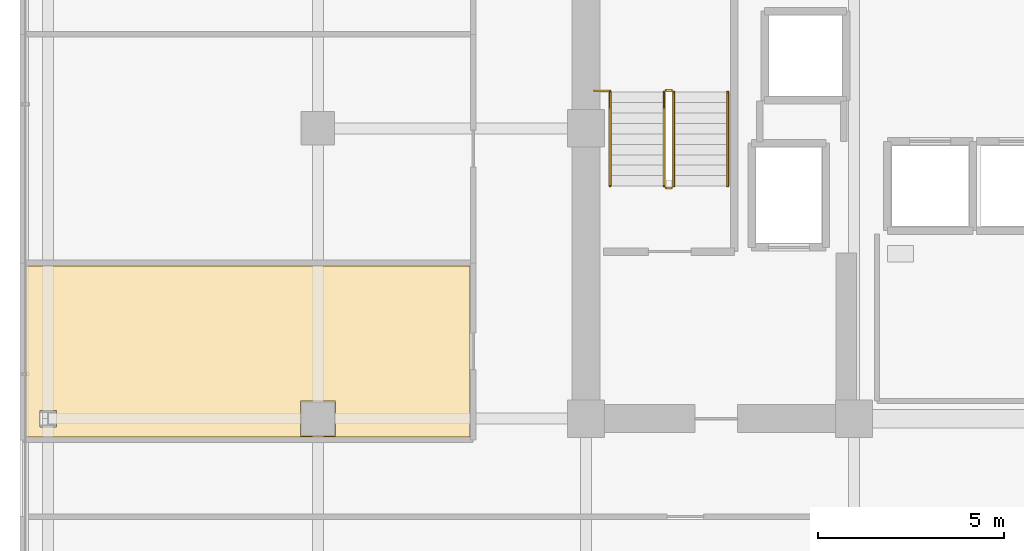
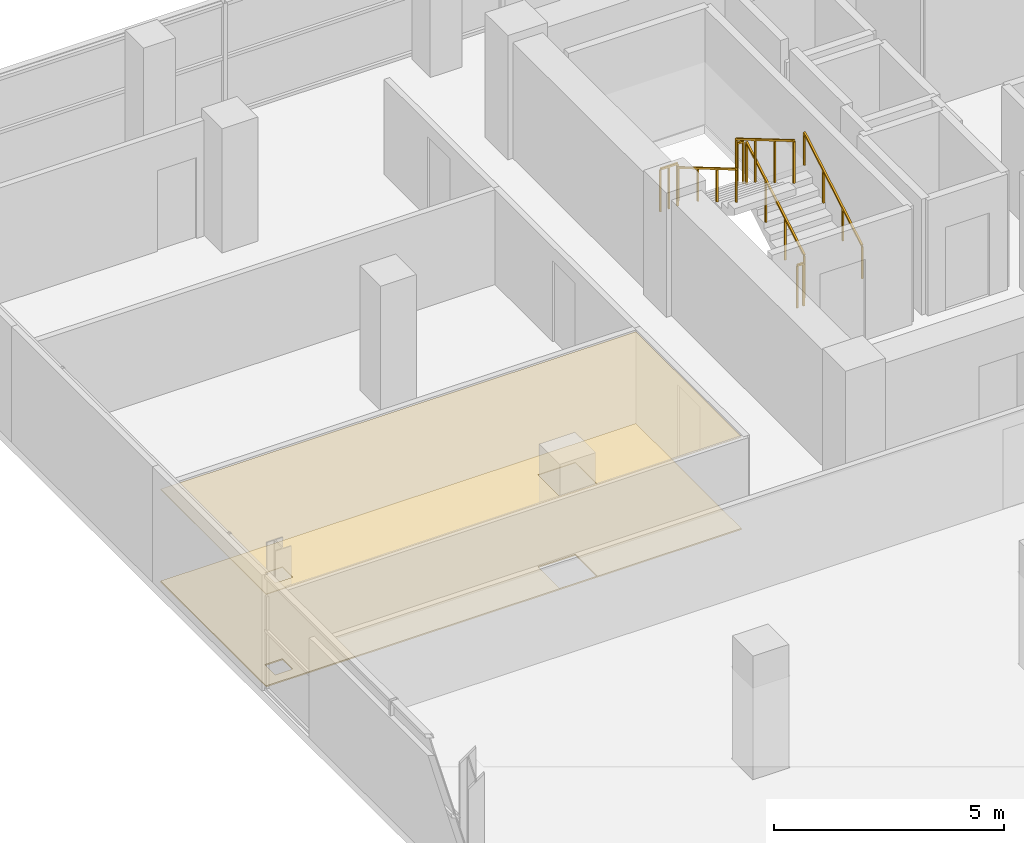
# One storey, part 24 of 27: 7 railings, 2 coverings.
"""IFC4 building model written with IfcOpenShell, lengths in metres."""

from ifc_helpers import new_model, si_unit, direction, frame, origin, origin_2d, place, context, subcontext, project, spatial, polyline, rectangle, outline, extrude, material, layer, layer_set, type_object, element, save


model = new_model("IFC4")

# Units and contexts
model_context = context("Model", 3, precision=1e-05, world=origin(), true_north=direction((0.0, 1.0)))
body_context = subcontext(model_context, "Body", "Model", "MODEL_VIEW")
ifc_project = project(units=[si_unit("LENGTHUNIT", "METRE"), si_unit("AREAUNIT", "SQUARE_METRE"), si_unit("VOLUMEUNIT", "CUBIC_METRE"), si_unit("PLANEANGLEUNIT", "RADIAN"), si_unit("MASSUNIT", "GRAM", prefix="KILO")], contexts=[model_context])

# Site, building, storey
site_placement = place(None, origin())
site = spatial("IfcSite", under=ifc_project, at=site_placement, CompositionType="ELEMENT")
building_placement = place(site_placement, origin())
building = spatial("IfcBuilding", under=site, at=building_placement, Name="Zarnakvel Exchange Tower", CompositionType="ELEMENT")
storey_placement = place(building_placement, frame((0.0, 0.0, 106.60009765625)))
storey = spatial("IfcBuildingStorey", under=building, at=storey_placement, Name="L29", CompositionType="ELEMENT", Elevation=106.60009765625)

# Coverings
ifc_material_1 = material(Name="Perforated Bronze Acoustic Metal Ceiling", Category="aluminium")
ifc_layer_1 = layer(ifc_material_1, 0.02001953125)
ifc_layer_set_1 = layer_set([ifc_layer_1], Name="Perforated Bronze Acoustic Metal Ceiling")
covering_type_1 = type_object("IfcCoveringType", Name="CLG-01", PredefinedType="CEILING", material=ifc_layer_set_1)
covering_1_placement = place(storey_placement, frame((0.0, 0.0, 2.454833984375)))
element("IfcCovering", 1, at=covering_1_placement, inside=storey, type_object=covering_type_1, Name="L29 Suspended Acoustic Ceiling (Executive Suite)", PredefinedType="CEILING", context=body_context, shape_type="SweptSolid", body=[
    extrude(outline(polyline([(-29.449951171875, 2.906982421875), (-17.510009765625, 2.906982421875), (-17.510009765625, -1.68994140625), (-29.449951171875, -1.68994140625), (-29.449951171875, 2.906982421875)]), holes=[polyline([(-21.1298828125, -1.669921875), (-21.1298828125, -0.72998046875), (-22.070068359375, -0.72998046875), (-22.070068359375, -1.669921875), (-21.1298828125, -1.669921875)]), polyline([(-28.6279296875, -1.423583984375), (-28.6279296875, -0.9765625), (-29.072021484375, -0.9765625), (-29.072021484375, -1.423583984375), (-28.6279296875, -1.423583984375)])]), origin(), (0.0, 0.0, 1.0), 0.02001953125),
])
ifc_material_2 = material(Name="Heavy-Duty Raised Access Floor Panel", Category="steel")
ifc_layer_2 = layer(ifc_material_2, 0.034912109375)
ifc_layer_set_2 = layer_set([ifc_layer_2], Name="Heavy-Duty Raised Access Floor Panel")
covering_type_2 = type_object("IfcCoveringType", Name="FLR-02", PredefinedType="FLOORING", material=ifc_layer_set_2)
covering_2_placement = place(storey_placement, origin())
element("IfcCovering", 2, at=covering_2_placement, inside=storey, type_object=covering_type_2, Name="L29 Floor Finish (Executive Suite)", PredefinedType="FLOORING", context=body_context, shape_type="SweptSolid", body=[
    extrude(outline(polyline([(-29.449951171875, 2.906982421875), (-17.510009765625, 2.906982421875), (-17.510009765625, -1.68994140625), (-29.449951171875, -1.68994140625), (-29.449951171875, 2.906982421875)]), holes=[polyline([(-21.1298828125, -1.669921875), (-21.1298828125, -0.72998046875), (-22.070068359375, -0.72998046875), (-22.070068359375, -1.669921875), (-21.1298828125, -1.669921875)]), polyline([(-28.6279296875, -1.423583984375), (-28.6279296875, -0.9765625), (-29.072021484375, -0.9765625), (-29.072021484375, -1.423583984375), (-28.6279296875, -1.423583984375)])]), origin(), (0.0, 0.0, 1.0), 0.034912109375),
])

# Railings
ifc_material_3 = material(Name="Brushed Stainless Steel", Category="steel")
railing_type_1 = type_object("IfcRailingType", Name="HR-01", PredefinedType="HANDRAIL", material=ifc_material_3)
railing_1_placement = place(storey_placement, frame((-10.590087890625, 5.050048828125, 0.164794921875)))
element("IfcRailing", 3, at=railing_1_placement, inside=storey, type_object=railing_type_1, Name="L29 ST-01 stair handrail 1", PredefinedType="HANDRAIL", context=body_context, shape_type="SweptSolid", body=[
    extrude(rectangle(XDim=0.048095703125, YDim=0.048095703125, at=origin_2d()), frame((0.0, 0.0, 0.8759765625), z_axis=(0.0, 0.86152411907, 0.507716645641), x_axis=(-1.0, 0.0, 0.0)), (0.0, 0.0, 1.0), 2.925048828125),
    extrude(rectangle(XDim=0.0419921875, YDim=0.0419921875, at=origin_2d()), origin(), (0.0, 0.0, 1.0), 0.851806640625),
    extrude(rectangle(XDim=0.0419921875, YDim=0.0419921875, at=origin_2d()), frame((0.0, 0.840087890625, 0.4951171875)), (0.0, 0.0, 1.0), 0.851806640625),
    extrude(rectangle(XDim=0.0419921875, YDim=0.0419921875, at=origin_2d()), frame((0.0, 1.679931640625, 0.989990234375)), (0.0, 0.0, 1.0), 0.851806640625),
    extrude(rectangle(XDim=0.0419921875, YDim=0.0419921875, at=origin_2d()), frame((0.0, 2.52001953125, 1.485107421875)), (0.0, 0.0, 1.0), 0.851806640625),
])
railing_2_placement = place(storey_placement, frame((-13.75, 7.570068359375, 1.81494140625)))
element("IfcRailing", 4, at=railing_2_placement, inside=storey, type_object=railing_type_1, Name="L29 ST-01 stair handrail 2", PredefinedType="HANDRAIL", context=body_context, shape_type="SweptSolid", body=[
    extrude(rectangle(XDim=0.048095703125, YDim=0.048095703125, at=origin_2d()), frame((0.0, 0.0, 0.8759765625), z_axis=(0.0, -0.861560626758, 0.507654692109), x_axis=(1.0, 0.0, 0.0)), (0.0, 0.0, 1.0), 2.925048828125),
    extrude(rectangle(XDim=0.0419921875, YDim=0.0419921875, at=origin_2d()), origin(), (0.0, 0.0, 1.0), 0.851806640625),
    extrude(rectangle(XDim=0.0419921875, YDim=0.0419921875, at=origin_2d()), frame((0.0, -0.840087890625, 0.494873046875)), (0.0, 0.0, 1.0), 0.851806640625),
    extrude(rectangle(XDim=0.0419921875, YDim=0.0419921875, at=origin_2d()), frame((0.0, -1.679931640625, 0.989990234375)), (0.0, 0.0, 1.0), 0.851806640625),
    extrude(rectangle(XDim=0.0419921875, YDim=0.0419921875, at=origin_2d()), frame((0.0, -2.52001953125, 1.48486328125)), (0.0, 0.0, 1.0), 0.851806640625),
])
ifc_material_4 = material(Name="Architectural Bronze Anodised Aluminium", Category="aluminium")
railing_type_2 = type_object("IfcRailingType", Name="SG-01", PredefinedType="GUARDRAIL", material=ifc_material_4)
railing_3_placement = place(storey_placement, frame((-12.0400390625, 5.050048828125, 0.164794921875)))
element("IfcRailing", 5, at=railing_3_placement, inside=storey, type_object=railing_type_2, Name="L29 ST-01 stair guard 1", PredefinedType="GUARDRAIL", context=body_context, shape_type="SweptSolid", body=[
    extrude(rectangle(XDim=0.048095703125, YDim=0.048095703125, at=origin_2d()), frame((0.0, 0.0, 1.1259765625), z_axis=(0.0, 0.86152411907, 0.507716645641), x_axis=(-1.0, 0.0, 0.0)), (0.0, 0.0, 1.0), 2.925048828125),
    extrude(rectangle(XDim=0.0419921875, YDim=0.0419921875, at=origin_2d()), origin(), (0.0, 0.0, 1.0), 1.101806640625),
    extrude(rectangle(XDim=0.0419921875, YDim=0.0419921875, at=origin_2d()), frame((0.0, 0.840087890625, 0.4951171875)), (0.0, 0.0, 1.0), 1.101806640625),
    extrude(rectangle(XDim=0.0419921875, YDim=0.0419921875, at=origin_2d()), frame((0.0, 1.679931640625, 0.989990234375)), (0.0, 0.0, 1.0), 1.101806640625),
    extrude(rectangle(XDim=0.0419921875, YDim=0.0419921875, at=origin_2d()), frame((0.0, 2.52001953125, 1.485107421875)), (0.0, 0.0, 1.0), 1.101806640625),
])
railing_4_placement = place(storey_placement, frame((-12.090087890625, 7.6201171875, 1.64990234375)))
element("IfcRailing", 6, at=railing_4_placement, inside=storey, type_object=railing_type_2, Name="L29 ST-01 stair guard 2", PredefinedType="GUARDRAIL", context=body_context, shape_type="SweptSolid", body=[
    extrude(rectangle(XDim=0.048095703125, YDim=0.048095703125, at=origin_2d()), frame((0.0, 0.0, 1.1259765625), z_axis=(-1.0, 0.0, 0.0), x_axis=(0.0, -1.0, 0.0)), (0.0, 0.0, 1.0), 0.159912109375),
    extrude(rectangle(XDim=0.0419921875, YDim=0.0419921875, at=origin_2d()), origin(), (0.0, 0.0, 1.0), 1.101806640625),
    extrude(rectangle(XDim=0.0419921875, YDim=0.0419921875, at=origin_2d()), frame((-0.159912109375, 0.0, 0.0)), (0.0, 0.0, 1.0), 1.101806640625),
])
railing_5_placement = place(storey_placement, frame((-12.300048828125, 7.570068359375, 1.81494140625)))
element("IfcRailing", 7, at=railing_5_placement, inside=storey, type_object=railing_type_2, Name="L29 ST-01 stair guard 3", PredefinedType="GUARDRAIL", context=body_context, shape_type="SweptSolid", body=[
    extrude(rectangle(XDim=0.048095703125, YDim=0.048095703125, at=origin_2d()), frame((0.0, 0.0, 1.1259765625), z_axis=(0.0, -0.861560626758, 0.507654692109), x_axis=(1.0, 0.0, 0.0)), (0.0, 0.0, 1.0), 2.925048828125),
    extrude(rectangle(XDim=0.0419921875, YDim=0.0419921875, at=origin_2d()), origin(), (0.0, 0.0, 1.0), 1.101806640625),
    extrude(rectangle(XDim=0.0419921875, YDim=0.0419921875, at=origin_2d()), frame((0.0, -0.840087890625, 0.494873046875)), (0.0, 0.0, 1.0), 1.101806640625),
    extrude(rectangle(XDim=0.0419921875, YDim=0.0419921875, at=origin_2d()), frame((0.0, -1.679931640625, 0.989990234375)), (0.0, 0.0, 1.0), 1.101806640625),
    extrude(rectangle(XDim=0.0419921875, YDim=0.0419921875, at=origin_2d()), frame((0.0, -2.52001953125, 1.48486328125)), (0.0, 0.0, 1.0), 1.101806640625),
])
railing_6_placement = place(storey_placement, frame((-12.090087890625, 5.0, 0.0)))
element("IfcRailing", 8, at=railing_6_placement, inside=storey, type_object=railing_type_2, Name="L29 ST-01 stair guard 4", PredefinedType="GUARDRAIL", context=body_context, shape_type="SweptSolid", body=[
    extrude(rectangle(XDim=0.048095703125, YDim=0.048095703125, at=origin_2d()), frame((0.0, 0.0, 1.1259765625), z_axis=(-1.0, 0.0, 0.0), x_axis=(0.0, -1.0, 0.0)), (0.0, 0.0, 1.0), 0.159912109375),
    extrude(rectangle(XDim=0.0419921875, YDim=0.0419921875, at=origin_2d()), origin(), (0.0, 0.0, 1.0), 1.101806640625),
    extrude(rectangle(XDim=0.0419921875, YDim=0.0419921875, at=origin_2d()), frame((-0.159912109375, 0.0, 0.0)), (0.0, 0.0, 1.0), 1.101806640625),
])
railing_7_placement = place(storey_placement, frame((-14.179931640625, 7.610107421875, 1.64990234375)))
element("IfcRailing", 9, at=railing_7_placement, inside=storey, type_object=railing_type_2, Name="L29 ST-01 Landing Slot Guardrail", PredefinedType="GUARDRAIL", context=body_context, shape_type="SweptSolid", body=[
    extrude(rectangle(XDim=0.048095703125, YDim=0.048095703125, at=origin_2d()), frame((0.0, 0.0, 1.1259765625), z_axis=(1.0, 0.0, 0.0), x_axis=(0.0, 1.0, 0.0)), (0.0, 0.0, 1.0), 0.429931640625),
    extrude(rectangle(XDim=0.0419921875, YDim=0.0419921875, at=origin_2d()), origin(), (0.0, 0.0, 1.0), 1.101806640625),
    extrude(rectangle(XDim=0.0419921875, YDim=0.0419921875, at=origin_2d()), frame((0.21484375, 0.0, 0.0)), (0.0, 0.0, 1.0), 1.101806640625),
    extrude(rectangle(XDim=0.0419921875, YDim=0.0419921875, at=origin_2d()), frame((0.429931640625, 0.0, 0.0)), (0.0, 0.0, 1.0), 1.101806640625),
])

save(model, "model.ifc")
